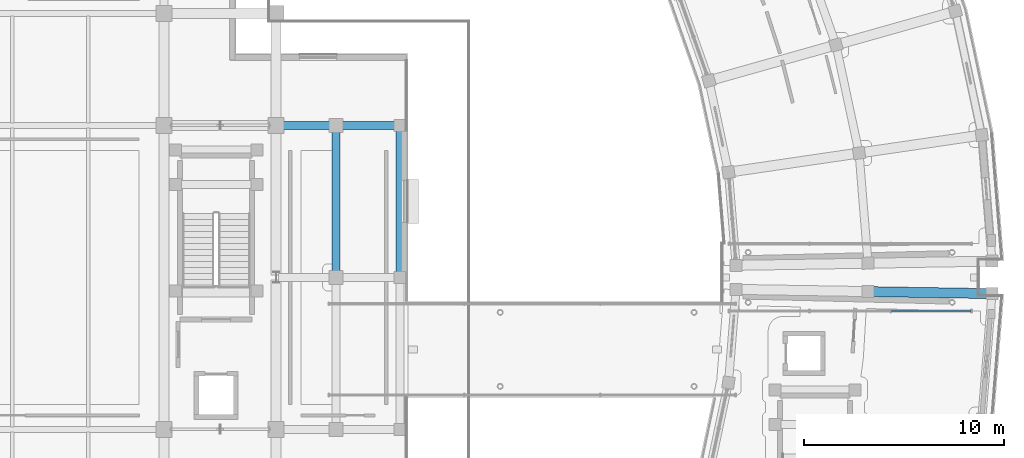
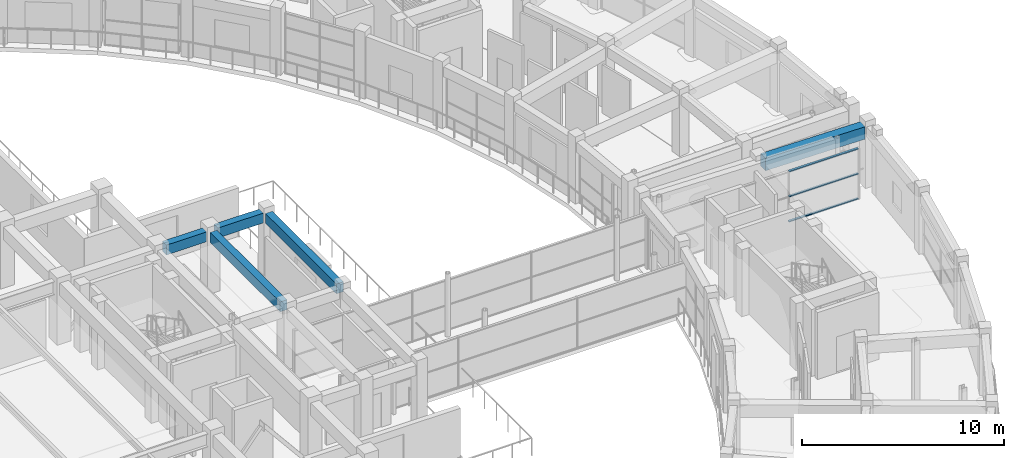
# One storey, part 26 of 72: 5 beams, 3 members, 1 element without a shape of its own.
"""IFC4 building model written with IfcOpenShell, lengths in metres."""

from ifc_helpers import new_model, si_unit, direction, frame, origin, origin_2d, place, context, subcontext, project, spatial, rectangle, extrude, material, material_profile, profile_set, type_object, element, aggregate, save


model = new_model("IFC4")

# Units and contexts
model_context = context("Model", 3, precision=1e-05, world=origin(), true_north=direction((0.0, 1.0)))
body_context = subcontext(model_context, "Body", "Model", "MODEL_VIEW")
ifc_project = project(units=[si_unit("LENGTHUNIT", "METRE"), si_unit("AREAUNIT", "SQUARE_METRE"), si_unit("VOLUMEUNIT", "CUBIC_METRE"), si_unit("PLANEANGLEUNIT", "RADIAN"), si_unit("MASSUNIT", "GRAM", prefix="KILO")], contexts=[model_context])

# Site, building, storey
site_placement = place(None, origin())
site = spatial("IfcSite", under=ifc_project, at=site_placement, CompositionType="ELEMENT")
building_placement = place(site_placement, origin())
building = spatial("IfcBuilding", under=site, at=building_placement, Name="Saryqyr Civic Hall", CompositionType="ELEMENT")
storey_placement = place(building_placement, frame((0.0, 0.0, 17.25)))
storey = spatial("IfcBuildingStorey", under=building, at=storey_placement, Name="L04", CompositionType="ELEMENT", Elevation=17.25)

# Curtain wall, members
ifc_material_1 = material(Name="Anodised aluminium and triple low-E glass", Category="aluminium")
curtain_wall_type = type_object("IfcCurtainWallType", Name="ENV-CW-STD-81", PredefinedType="NOTDEFINED", material=ifc_material_1)
curtain_wall_placement = place(storey_placement, origin())
curtain_wall = element("IfcCurtainWall", 1, at=curtain_wall_placement, inside=storey, type_object=curtain_wall_type, Name="Curtain wall BR-E-CW1-L04", PredefinedType="NOTDEFINED")
ifc_material_2 = material(Name="Anodised aluminium", Category="aluminium")
ifc_material_profile_1 = material_profile(ifc_material_2, rectangle(XDim=0.1201171875, YDim=0.06005859375, at=origin_2d()), Name="ALU TRANSOM 120x60")
ifc_profile_set_1 = profile_set([ifc_material_profile_1], Name="Anodised aluminium")
member_type = type_object("IfcMemberType", Name="ENV-CW-TRN-150", PredefinedType="USERDEFINED", material=ifc_profile_set_1)
member_1_placement = place(storey_placement, frame((104.93994140625, 82.320068359375, 0.030029296875), z_axis=(-1.0, 0.0, 0.0), x_axis=(0.0, -1.0, 0.0)))
member_1 = element("IfcMember", 2, at=member_1_placement, type_object=member_type, Name="CW-81 transom 1.1", ObjectType="TRANSOM", PredefinedType="USERDEFINED", context=body_context, shape_type="SweptSolid", body=[
    extrude(rectangle(XDim=0.1201171875, YDim=0.06005859375, at=origin_2d()), origin(), (0.0, 0.0, 1.0), 3.9765625),
])
member_2_placement = place(storey_placement, frame((104.93994140625, 82.320068359375, 1.54296875), z_axis=(-1.0, 0.0, 0.0), x_axis=(0.0, -1.0, 0.0)))
member_2 = element("IfcMember", 3, at=member_2_placement, type_object=member_type, Name="CW-81 transom 1.2", ObjectType="TRANSOM", PredefinedType="USERDEFINED", context=body_context, shape_type="SweptSolid", body=[
    extrude(rectangle(XDim=0.1201171875, YDim=0.06005859375, at=origin_2d()), origin(), (0.0, 0.0, 1.0), 3.9765625),
])
member_3_placement = place(storey_placement, frame((104.93994140625, 82.320068359375, 3.054931640625), z_axis=(-1.0, 0.0, 0.0), x_axis=(0.0, -1.0, 0.0)))
member_3 = element("IfcMember", 4, at=member_3_placement, type_object=member_type, Name="CW-81 transom 1.3", ObjectType="TRANSOM", PredefinedType="USERDEFINED", context=body_context, shape_type="SweptSolid", body=[
    extrude(rectangle(XDim=0.1201171875, YDim=0.06005859375, at=origin_2d()), origin(), (0.0, 0.0, 1.0), 3.9765625),
])
aggregate(curtain_wall, [member_1, member_2, member_3])

# Beams
ifc_material_3 = material(Name="Concrete C35/45", Category="concrete")
ifc_material_profile_2 = material_profile(ifc_material_3, rectangle(XDim=0.39990234375, YDim=0.60009765625, at=origin_2d()), Name="RC 400x600")
ifc_profile_set_2 = profile_set([ifc_material_profile_2], Name="Concrete C35/45")
beam_type_1 = type_object("IfcBeamType", Name="STR-BM-RC400x600", PredefinedType="BEAM", material=ifc_profile_set_2)
beam_1_placement = place(storey_placement, frame((70.574951171875, 91.60009765625, 3.409912109375), z_axis=(1.0, 0.0, 0.0), x_axis=(0.0, 1.0, 0.0)))
element("IfcBeam", 5, at=beam_1_placement, inside=storey, type_object=beam_type_1, Name="Beam V1-TBM-06-L04", PredefinedType="BEAM", context=body_context, shape_type="SweptSolid", body=[
    extrude(rectangle(XDim=0.39990234375, YDim=0.60009765625, at=origin_2d()), origin(), (0.0, 0.0, 1.0), 2.300048828125),
])
beam_2_placement = place(storey_placement, frame((73.199951171875, 84.324951171875, 3.409912109375), z_axis=(0.0, 1.0, 0.0), x_axis=(-1.0, 0.0, 0.0)))
element("IfcBeam", 6, at=beam_2_placement, inside=storey, type_object=beam_type_1, Name="Beam V1-TBM-14-L04", PredefinedType="BEAM", context=body_context, shape_type="SweptSolid", body=[
    extrude(rectangle(XDim=0.39990234375, YDim=0.60009765625, at=origin_2d()), origin(), (0.0, 0.0, 1.0), 6.949951171875),
])
beam_3_placement = place(storey_placement, frame((73.52490234375, 91.60009765625, 3.409912109375), z_axis=(1.0, 0.0, 0.0), x_axis=(0.0, 1.0, 0.0)))
element("IfcBeam", 7, at=beam_3_placement, inside=storey, type_object=beam_type_1, Name="Beam V1-TBM-24-L04", PredefinedType="BEAM", context=body_context, shape_type="SweptSolid", body=[
    extrude(rectangle(XDim=0.39990234375, YDim=0.60009765625, at=origin_2d()), origin(), (0.0, 0.0, 1.0), 2.60009765625),
])
beam_4_placement = place(storey_placement, frame((76.39990234375, 84.27490234375, 3.409912109375), z_axis=(0.0, 1.0, 0.0), x_axis=(-1.0, 0.0, 0.0)))
element("IfcBeam", 8, at=beam_4_placement, inside=storey, type_object=beam_type_1, Name="Beam V1-TBM-32-L04", PredefinedType="BEAM", context=body_context, shape_type="SweptSolid", body=[
    extrude(rectangle(XDim=0.39990234375, YDim=0.60009765625, at=origin_2d()), origin(), (0.0, 0.0, 1.0), 7.050048828125),
])
ifc_material_4 = material(Name="Concrete C40/50", Category="concrete")
ifc_material_profile_3 = material_profile(ifc_material_4, rectangle(XDim=0.5, YDim=0.75, at=origin_2d()), Name="RC 500x750")
ifc_profile_set_3 = profile_set([ifc_material_profile_3], Name="Concrete C40/50")
beam_type_2 = type_object("IfcBeamType", Name="STR-BM-RC500x750", PredefinedType="BEAM", material=ifc_profile_set_3)
beam_5_placement = place(storey_placement, frame((100.069091796875, 83.285888671875, 3.3349609375), z_axis=(0.999862325475, -0.016593073728, 0.0), x_axis=(0.016593073728, 0.999862325475, 0.0)))
element("IfcBeam", 9, at=beam_5_placement, inside=storey, type_object=beam_type_2, Name="Beam V5-RBM-B10-L04", PredefinedType="BEAM", context=body_context, shape_type="SweptSolid", body=[
    extrude(rectangle(XDim=0.5, YDim=0.75, at=origin_2d()), origin(), (0.0, 0.0, 1.0), 5.64990234375),
])

save(model, "model.ifc")
